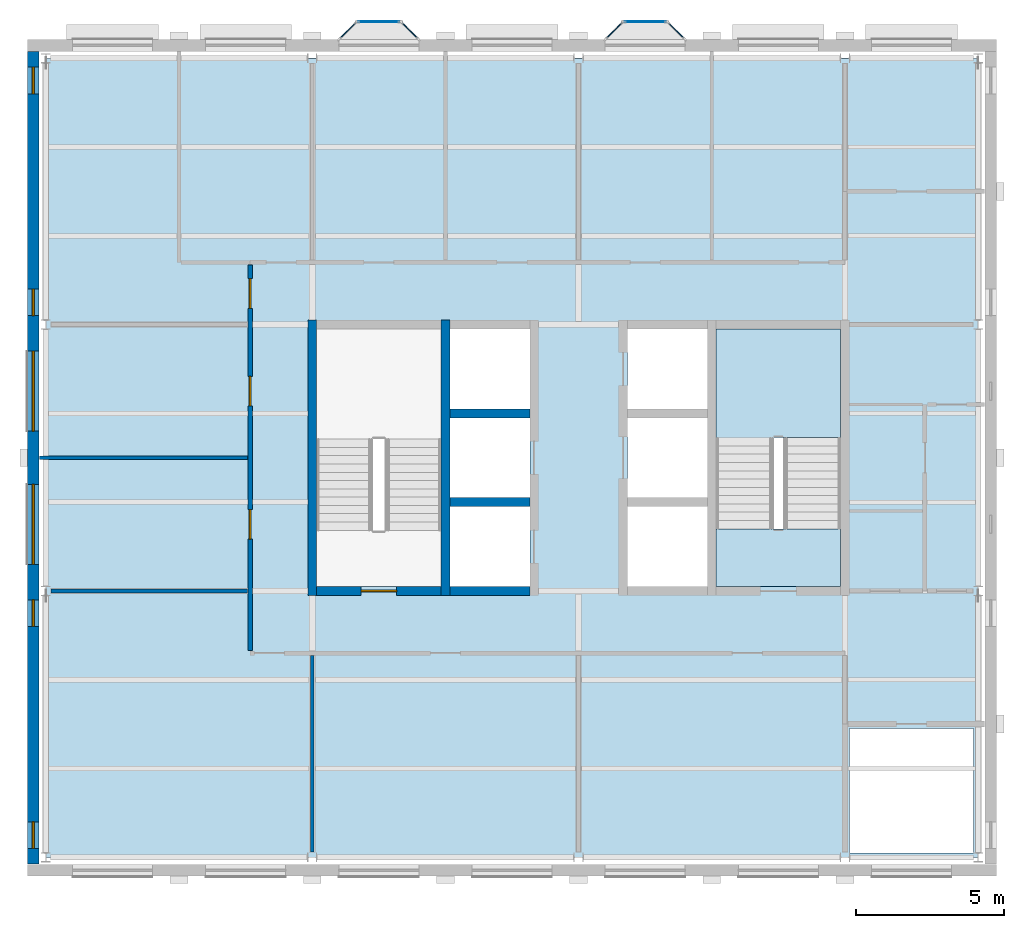
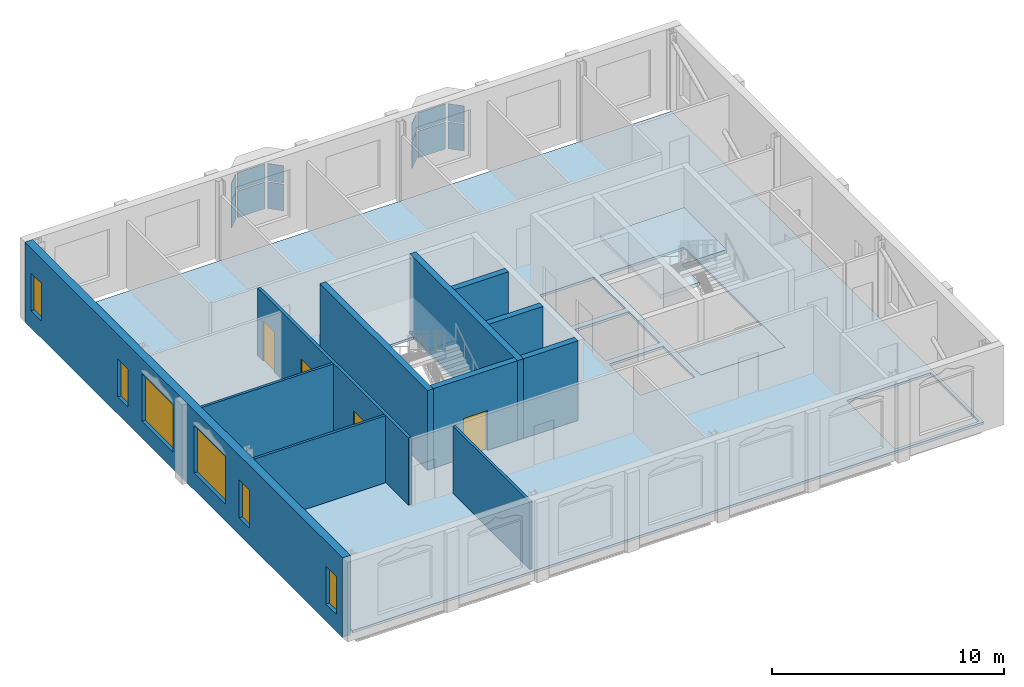
# One storey, part 3 of 9: 12 plates, 11 walls, 6 windows, 4 doors, 3 slabs, 10 openings, 7 elements without a shape of their own.
"""IFC4 building model written with IfcOpenShell, lengths in metres."""

import ifcopenshell
import ifcopenshell.guid

model = None  # the IFC model being written
_history = None  # IfcOwnerHistory: only IFC2X3 demands one
_inside = {}  # id of a spatial element -> (the spatial element, [elements in it])
_under = {}  # id of a project, library or spatial element -> (it, [spatial elements below it])
_declared = {}  # id of a project -> (the project, [libraries it declares])
_typed = {}  # id of a type object -> (the type object, [elements of that type])
_made_of = {}  # id of a material, layer set ... -> (it, [elements and type objects made of it])


def new_model(schema):
    """Start an empty IFC model of exactly this schema.

    Asked for "IFC4X3", IfcOpenShell would pick the latest addendum, in which some entities
    have other attributes; the version numbers below select the first issue.
    IFC2X3 requires an IfcOwnerHistory on every rooted entity: one is made here for all.
    """
    global model, _history
    if schema == "IFC4X3":
        model = ifcopenshell.file(schema_version=(4, 3, 0, 0))
    else:
        model = ifcopenshell.file(schema=schema)
    _inside.clear()
    _under.clear()
    _declared.clear()
    _typed.clear()
    _made_of.clear()
    _history = None
    if model.schema == "IFC2X3":
        org = make("IfcOrganization", Name="unknown")
        user = make(
            "IfcPersonAndOrganization",
            ThePerson=make("IfcPerson", FamilyName="unknown"),
            TheOrganization=org,
        )
        app = make(
            "IfcApplication",
            ApplicationDeveloper=org,
            Version="unknown",
            ApplicationFullName="unknown",
            ApplicationIdentifier="unknown",
        )
        _history = make(
            "IfcOwnerHistory",
            OwningUser=user,
            OwningApplication=app,
            ChangeAction="ADDED",
            CreationDate=0,
        )
    return model


def make(cls, **values):
    """One entity of the class cls with the attributes given. An attribute that is None is left unset."""
    return model.create_entity(
        cls, **{name: value for name, value in values.items() if value is not None}
    )


def rooted(cls, **values):
    """An entity with a GlobalId (a new one), such as an element, a storey or a relation."""
    return make(cls, GlobalId=ifcopenshell.guid.new(), OwnerHistory=_history, **values)


def si_unit(unit_type, name, prefix=None):
    """IfcSIUnit, for example si_unit("LENGTHUNIT", "METRE", prefix="MILLI")."""
    return make("IfcSIUnit", UnitType=unit_type, Prefix=prefix, Name=name)


def assignment(units):
    """IfcUnitAssignment: the units of a project."""
    return None if units is None else make("IfcUnitAssignment", Units=units)


def point(xyz):
    """IfcCartesianPoint."""
    return None if xyz is None else make("IfcCartesianPoint", Coordinates=xyz)


def direction(xyz):
    """IfcDirection."""
    return None if xyz is None else make("IfcDirection", DirectionRatios=xyz)


def frame(location, z_axis=None, x_axis=None):
    """IfcAxis2Placement3D, a coordinate frame: its origin and axes. An axis left out is left unset."""
    return make(
        "IfcAxis2Placement3D",
        Location=point(location),
        Axis=direction(z_axis),
        RefDirection=direction(x_axis),
    )


def frame_2d(location, x_axis=None):
    """IfcAxis2Placement2D, a coordinate frame in the plane: its origin and x axis."""
    return make(
        "IfcAxis2Placement2D", Location=point(location), RefDirection=direction(x_axis)
    )


def origin():
    """The frame at (0, 0, 0) with its axes left unset."""
    return frame((0.0, 0.0, 0.0))


def origin_2d():
    """The frame at (0, 0) in the plane with its x axis left unset."""
    return frame_2d((0.0, 0.0))


def place(relative_to, where):
    """IfcLocalPlacement: puts the frame where relative to a parent placement (None: the world)."""
    return make(
        "IfcLocalPlacement", PlacementRelTo=relative_to, RelativePlacement=where
    )


def context(
    kind, dimensions, precision=None, world=None, true_north=None, identifier=None
):
    """IfcGeometricRepresentationContext, for example the 3D "Model" context."""
    return make(
        "IfcGeometricRepresentationContext",
        ContextIdentifier=identifier,
        ContextType=kind,
        CoordinateSpaceDimension=dimensions,
        Precision=precision,
        WorldCoordinateSystem=world,
        TrueNorth=true_north,
    )


def subcontext(parent, identifier, kind, view, scale=None):
    """IfcGeometricRepresentationSubContext, for example "Body" below "Model"."""
    return make(
        "IfcGeometricRepresentationSubContext",
        ContextIdentifier=identifier,
        ContextType=kind,
        ParentContext=parent,
        TargetScale=scale,
        TargetView=view,
    )


def project(units=None, contexts=None):
    """IfcProject with its units and contexts."""
    return rooted(
        "IfcProject",
        Name="project",
        RepresentationContexts=contexts,
        UnitsInContext=assignment(units),
    )


def spatial(cls, under=None, at=None, **own):
    """A site, building, storey or space (cls), placed at a placement, below another one or the project."""
    s = rooted(cls, ObjectPlacement=at, **own)
    if under is not None:
        _under.setdefault(under.id(), (under, []))[1].append(s)
    return s


def polyline(points):
    """IfcPolyline through the points."""
    return make("IfcPolyline", Points=[point(p) for p in points])


def profile(cls, at=None, kind="AREA", **sizes):
    """A parametric profile (cls). Its sizes go by their IFC names, for example OverallWidth=200.0."""
    return make(cls, ProfileType=kind, Position=at, **sizes)


def rectangle(**sizes):
    """IfcRectangleProfileDef."""
    return profile("IfcRectangleProfileDef", **sizes)


def outline(outer, holes=None, kind="AREA"):
    """IfcArbitraryClosedProfileDef: a profile drawn as a closed curve; with holes, ...WithVoids."""
    if holes is None:
        return make("IfcArbitraryClosedProfileDef", ProfileType=kind, OuterCurve=outer)
    return make(
        "IfcArbitraryProfileDefWithVoids",
        ProfileType=kind,
        OuterCurve=outer,
        InnerCurves=holes,
    )


def extrude(swept, where, along, depth):
    """IfcExtrudedAreaSolid: the profile swept, set in the frame where, extruded along a direction by depth."""
    return make(
        "IfcExtrudedAreaSolid",
        SweptArea=swept,
        Position=where,
        ExtrudedDirection=direction(along),
        Depth=depth,
    )


def shape(context_of_items, identifier, shape_type, items):
    """IfcShapeRepresentation: the items that make up one representation, for example the "Body"."""
    return make(
        "IfcShapeRepresentation",
        ContextOfItems=context_of_items,
        RepresentationIdentifier=identifier,
        RepresentationType=shape_type,
        Items=items,
    )


def material(Name=None, Category=None):
    """IfcMaterial."""
    return make("IfcMaterial", Name=Name, Category=Category)


def layer(
    of_material, thickness, ventilated=None, Name=None, Category=None, Priority=None
):
    """IfcMaterialLayer: one layer of a wall or slab, of a material (None: an air gap)."""
    return make(
        "IfcMaterialLayer",
        Material=of_material,
        LayerThickness=thickness,
        IsVentilated=ventilated,
        Name=Name,
        Category=Category,
        Priority=Priority,
    )


def layer_set(layers, Name=None):
    """IfcMaterialLayerSet."""
    return make("IfcMaterialLayerSet", MaterialLayers=layers, LayerSetName=Name)


def made_of(thing, what):
    """Note that an element or type object is made of a material, layer set ...; save() writes the relation."""
    if what is not None:
        _made_of.setdefault(what.id(), (what, []))[1].append(thing)
    return thing


def type_object(cls, material=None, **own):
    """A type object (cls), such as IfcWallType, which elements share."""
    return made_of(rooted(cls, **own), material)


def element(
    cls,
    number,
    at=None,
    inside=None,
    cuts=None,
    type_object=None,
    material=None,
    context=None,
    identifier="Body",
    shape_type=None,
    held_by="IfcProductDefinitionShape",
    body=None,
    shapes=None,
    **own,
):
    """One element of the class cls, such as IfcWall. Its Tag is "e" and its number.

    at: its placement. inside: the storey or other place that contains it. cuts: it is an
    opening in that element (IfcRelVoidsElement). A single representation is given by context,
    identifier, shape_type and body (its items); several are given by shapes. held_by: the class
    of the entity that holds the representations. save() writes the other relations.
    """
    e = rooted(cls, Tag="e%d" % number, ObjectPlacement=at, **own)
    if body is not None:
        shapes = [shape(context, identifier, shape_type, body)]
    if shapes is not None:
        e.Representation = make(held_by, Representations=shapes)
    if inside is not None:
        _inside.setdefault(inside.id(), (inside, []))[1].append(e)
    if cuts is not None:
        rooted(
            "IfcRelVoidsElement", RelatingBuildingElement=cuts, RelatedOpeningElement=e
        )
    if type_object is not None:
        _typed.setdefault(type_object.id(), (type_object, []))[1].append(e)
    return made_of(e, material)


def fill(opening, filler):
    """IfcRelFillsElement: the door or window that sits in an opening."""
    return rooted(
        "IfcRelFillsElement",
        RelatingOpeningElement=opening,
        RelatedBuildingElement=filler,
    )


def aggregate(whole, parts):
    """IfcRelAggregates: a whole, such as a stair, and the parts it consists of."""
    return rooted("IfcRelAggregates", RelatingObject=whole, RelatedObjects=parts)


def save(model, path):
    """Write the relations noted so far, then the file.

    IfcRelAggregates (storeys below a building ...), IfcRelContainedInSpatialStructure (elements
    in a storey), IfcRelDefinesByType, IfcRelAssociatesMaterial and IfcRelDeclares: one each for
    every whole, place, type object, material and project.
    """
    for whole, parts in _under.values():
        aggregate(whole, parts)
    for where, things in _inside.values():
        rooted(
            "IfcRelContainedInSpatialStructure",
            RelatedElements=things,
            RelatingStructure=where,
        )
    for kind, things in _typed.values():
        rooted("IfcRelDefinesByType", RelatedObjects=things, RelatingType=kind)
    for what, things in _made_of.values():
        rooted("IfcRelAssociatesMaterial", RelatedObjects=things, RelatingMaterial=what)
    for by, libraries in _declared.values():
        rooted("IfcRelDeclares", RelatingContext=by, RelatedDefinitions=libraries)
    model.write(path)


model = new_model("IFC4")

# Units and contexts
model_context = context("Model", 3, precision=1e-05, world=origin(), true_north=direction((0.0, 1.0)))
body_context = subcontext(model_context, "Body", "Model", "MODEL_VIEW")
ifc_project = project(units=[si_unit("LENGTHUNIT", "METRE"), si_unit("AREAUNIT", "SQUARE_METRE"), si_unit("VOLUMEUNIT", "CUBIC_METRE"), si_unit("PLANEANGLEUNIT", "RADIAN"), si_unit("MASSUNIT", "GRAM", prefix="KILO")], contexts=[model_context])

# Site, building, storey
site_placement = place(None, origin())
site = spatial("IfcSite", under=ifc_project, at=site_placement, CompositionType="ELEMENT")
building_placement = place(site_placement, origin())
building = spatial("IfcBuilding", under=site, at=building_placement, Name="Hortulan Conservatory and Botanical Research Centre", CompositionType="ELEMENT")
storey_placement = place(building_placement, frame((0.0, 0.0, 57.0)))
storey = spatial("IfcBuildingStorey", under=building, at=storey_placement, Name="L13", CompositionType="ELEMENT", Elevation=57.0)

# Slab
ifc_material_1 = material(Name="Concrete N32 (32 MPa, AS 3600)", Category="concrete")
ifc_layer_1 = layer(ifc_material_1, 0.1298828125)
ifc_layer_set_1 = layer_set([ifc_layer_1], Name="Composite Floor Slab 130")
slab_type_1 = type_object("IfcSlabType", Name="Composite Floor Slab 130", PredefinedType="FLOOR", material=ifc_layer_set_1)
slab_1_placement = place(storey_placement, frame((0.0, 0.0, -0.1298828125)))
element("IfcSlab", 1, at=slab_1_placement, inside=storey, type_object=slab_type_1, Name="Floor slab", PredefinedType="FLOOR", context=body_context, shape_type="SweptSolid", body=[
    extrude(outline(polyline([(0.0, 0.0), (31.5, 0.0), (31.5, 27.0), (0.0, 27.0), (0.0, 0.0)]), holes=[polyline([(27.14990234375, 4.35009765625), (27.14990234375, 0.14990234375), (31.35009765625, 0.14990234375), (31.35009765625, 4.35009765625), (27.14990234375, 4.35009765625)]), polyline([(13.64990234375, 11.85009765625), (13.64990234375, 9.14990234375), (16.35009765625, 9.14990234375), (16.35009765625, 11.85009765625), (13.64990234375, 11.85009765625)]), polyline([(19.64990234375, 11.85009765625), (19.64990234375, 9.14990234375), (22.35009765625, 9.14990234375), (22.35009765625, 11.85009765625), (19.64990234375, 11.85009765625)]), polyline([(9.14990234375, 17.85009765625), (9.14990234375, 9.14990234375), (13.35009765625, 9.14990234375), (13.35009765625, 17.85009765625), (9.14990234375, 17.85009765625)]), polyline([(13.64990234375, 14.85009765625), (13.64990234375, 12.14990234375), (16.35009765625, 12.14990234375), (16.35009765625, 14.85009765625), (13.64990234375, 14.85009765625)]), polyline([(19.64990234375, 14.85009765625), (19.64990234375, 12.14990234375), (22.35009765625, 12.14990234375), (22.35009765625, 14.85009765625), (19.64990234375, 14.85009765625)]), polyline([(22.64990234375, 17.85009765625), (22.64990234375, 9.14990234375), (26.85009765625, 9.14990234375), (26.85009765625, 17.85009765625), (22.64990234375, 17.85009765625)]), polyline([(16.35009765625, 17.85009765625), (13.64990234375, 17.85009765625), (13.64990234375, 15.14990234375), (16.35009765625, 15.14990234375), (16.35009765625, 17.85009765625)]), polyline([(22.35009765625, 17.85009765625), (19.64990234375, 17.85009765625), (19.64990234375, 15.14990234375), (22.35009765625, 15.14990234375), (22.35009765625, 17.85009765625)])]), origin(), (0.0, 0.0, 1.0), 0.1298828125),
])

# Curtain wall, plates
ifc_material_2 = material(Name="Bronze-finished aluminium", Category="aluminium")
ifc_layer_2 = layer(ifc_material_2, 0.10009765625)
ifc_layer_set_2 = layer_set([ifc_layer_2], Name="Oriel Curtain Wall 1350 module")
curtain_wall_type = type_object("IfcCurtainWallType", Name="Oriel Curtain Wall 1350 module", PredefinedType="NOTDEFINED", material=ifc_layer_set_2)
curtain_wall_1_placement = place(storey_placement, origin())
curtain_wall_1 = element("IfcCurtainWall", 2, at=curtain_wall_1_placement, inside=storey, type_object=curtain_wall_type, Name="Oriel glazing", PredefinedType="NOTDEFINED")
ifc_material_3 = material(Name="Low-e laminated glass", Category="glass")
ifc_layer_3 = layer(ifc_material_3, 0.028076171875)
ifc_layer_set_3 = layer_set([ifc_layer_3], Name="Laminated Glass Panel 28")
plate_type = type_object("IfcPlateType", Name="Laminated Glass Panel 28", PredefinedType="CURTAIN_PANEL", material=ifc_layer_set_3)
plate_1_placement = place(storey_placement, frame((10.199951171875, 27.93603515625, 0.9599609375), z_axis=(0.0, 0.0, 1.0), x_axis=(0.707106781187, 0.707106781187, 0.0)))
plate_1 = element("IfcPlate", 3, at=plate_1_placement, type_object=plate_type, Name="CW2 panel 1.1", PredefinedType="CURTAIN_PANEL", context=body_context, shape_type="SweptSolid", body=[
    extrude(rectangle(XDim=0.728515625, YDim=0.028076171875, at=origin_2d()), origin(), (0.0, 0.0, 1.0), 1.409912109375),
])
plate_2_placement = place(storey_placement, frame((10.199951171875, 27.93603515625, 2.43017578125), z_axis=(0.0, 0.0, 1.0), x_axis=(0.707106781187, 0.707106781187, 0.0)))
plate_2 = element("IfcPlate", 4, at=plate_2_placement, type_object=plate_type, Name="CW2 panel 1.2", PredefinedType="CURTAIN_PANEL", context=body_context, shape_type="SweptSolid", body=[
    extrude(rectangle(XDim=0.728515625, YDim=0.028076171875, at=origin_2d()), origin(), (0.0, 0.0, 1.0), 0.909912109375),
])
aggregate(curtain_wall_1, [plate_1, plate_2])

curtain_wall_2_placement = place(storey_placement, origin())
curtain_wall_2 = element("IfcCurtainWall", 5, at=curtain_wall_2_placement, inside=storey, type_object=curtain_wall_type, Name="Oriel glazing", PredefinedType="NOTDEFINED")
plate_3_placement = place(storey_placement, frame((11.25, 28.236083984375, 0.9599609375), z_axis=(0.0, 0.0, 1.0), x_axis=(1.0, 0.0, 0.0)))
plate_3 = element("IfcPlate", 6, at=plate_3_placement, type_object=plate_type, Name="CW2 panel 1.1", PredefinedType="CURTAIN_PANEL", context=body_context, shape_type="SweptSolid", body=[
    extrude(rectangle(XDim=1.3798828125, YDim=0.028076171875, at=origin_2d()), origin(), (0.0, 0.0, 1.0), 1.409912109375),
])
plate_4_placement = place(storey_placement, frame((11.25, 28.236083984375, 2.43017578125), z_axis=(0.0, 0.0, 1.0), x_axis=(1.0, 0.0, 0.0)))
plate_4 = element("IfcPlate", 7, at=plate_4_placement, type_object=plate_type, Name="CW2 panel 1.2", PredefinedType="CURTAIN_PANEL", context=body_context, shape_type="SweptSolid", body=[
    extrude(rectangle(XDim=1.3798828125, YDim=0.028076171875, at=origin_2d()), origin(), (0.0, 0.0, 1.0), 0.909912109375),
])
aggregate(curtain_wall_2, [plate_3, plate_4])

curtain_wall_3_placement = place(storey_placement, origin())
curtain_wall_3 = element("IfcCurtainWall", 8, at=curtain_wall_3_placement, inside=storey, type_object=curtain_wall_type, Name="Oriel glazing", PredefinedType="NOTDEFINED")
plate_5_placement = place(storey_placement, frame((12.300048828125, 27.93603515625, 0.9599609375), z_axis=(0.0, 0.0, 1.0), x_axis=(0.707106781187, -0.707106781187, 0.0)))
plate_5 = element("IfcPlate", 9, at=plate_5_placement, type_object=plate_type, Name="CW2 panel 1.1", PredefinedType="CURTAIN_PANEL", context=body_context, shape_type="SweptSolid", body=[
    extrude(rectangle(XDim=0.728515625, YDim=0.028076171875, at=origin_2d()), origin(), (0.0, 0.0, 1.0), 1.409912109375),
])
plate_6_placement = place(storey_placement, frame((12.300048828125, 27.93603515625, 2.43017578125), z_axis=(0.0, 0.0, 1.0), x_axis=(0.707106781187, -0.707106781187, 0.0)))
plate_6 = element("IfcPlate", 10, at=plate_6_placement, type_object=plate_type, Name="CW2 panel 1.2", PredefinedType="CURTAIN_PANEL", context=body_context, shape_type="SweptSolid", body=[
    extrude(rectangle(XDim=0.728515625, YDim=0.028076171875, at=origin_2d()), origin(), (0.0, 0.0, 1.0), 0.909912109375),
])
aggregate(curtain_wall_3, [plate_5, plate_6])

curtain_wall_4_placement = place(storey_placement, origin())
curtain_wall_4 = element("IfcCurtainWall", 11, at=curtain_wall_4_placement, inside=storey, type_object=curtain_wall_type, Name="Oriel glazing", PredefinedType="NOTDEFINED")
plate_7_placement = place(storey_placement, frame((19.199951171875, 27.93603515625, 0.9599609375), z_axis=(0.0, 0.0, 1.0), x_axis=(0.707106781187, 0.707106781187, 0.0)))
plate_7 = element("IfcPlate", 12, at=plate_7_placement, type_object=plate_type, Name="CW2 panel 1.1", PredefinedType="CURTAIN_PANEL", context=body_context, shape_type="SweptSolid", body=[
    extrude(rectangle(XDim=0.728515625, YDim=0.028076171875, at=origin_2d()), origin(), (0.0, 0.0, 1.0), 1.409912109375),
])
plate_8_placement = place(storey_placement, frame((19.199951171875, 27.93603515625, 2.43017578125), z_axis=(0.0, 0.0, 1.0), x_axis=(0.707106781187, 0.707106781187, 0.0)))
plate_8 = element("IfcPlate", 13, at=plate_8_placement, type_object=plate_type, Name="CW2 panel 1.2", PredefinedType="CURTAIN_PANEL", context=body_context, shape_type="SweptSolid", body=[
    extrude(rectangle(XDim=0.728515625, YDim=0.028076171875, at=origin_2d()), origin(), (0.0, 0.0, 1.0), 0.909912109375),
])
aggregate(curtain_wall_4, [plate_7, plate_8])

curtain_wall_5_placement = place(storey_placement, origin())
curtain_wall_5 = element("IfcCurtainWall", 14, at=curtain_wall_5_placement, inside=storey, type_object=curtain_wall_type, Name="Oriel glazing", PredefinedType="NOTDEFINED")
plate_9_placement = place(storey_placement, frame((20.25, 28.236083984375, 0.9599609375), z_axis=(0.0, 0.0, 1.0), x_axis=(1.0, 0.0, 0.0)))
plate_9 = element("IfcPlate", 15, at=plate_9_placement, type_object=plate_type, Name="CW2 panel 1.1", PredefinedType="CURTAIN_PANEL", context=body_context, shape_type="SweptSolid", body=[
    extrude(rectangle(XDim=1.3798828125, YDim=0.028076171875, at=origin_2d()), origin(), (0.0, 0.0, 1.0), 1.409912109375),
])
plate_10_placement = place(storey_placement, frame((20.25, 28.236083984375, 2.43017578125), z_axis=(0.0, 0.0, 1.0), x_axis=(1.0, 0.0, 0.0)))
plate_10 = element("IfcPlate", 16, at=plate_10_placement, type_object=plate_type, Name="CW2 panel 1.2", PredefinedType="CURTAIN_PANEL", context=body_context, shape_type="SweptSolid", body=[
    extrude(rectangle(XDim=1.3798828125, YDim=0.028076171875, at=origin_2d()), origin(), (0.0, 0.0, 1.0), 0.909912109375),
])
aggregate(curtain_wall_5, [plate_9, plate_10])

curtain_wall_6_placement = place(storey_placement, origin())
curtain_wall_6 = element("IfcCurtainWall", 17, at=curtain_wall_6_placement, inside=storey, type_object=curtain_wall_type, Name="Oriel glazing", PredefinedType="NOTDEFINED")
plate_11_placement = place(storey_placement, frame((21.300048828125, 27.93603515625, 0.9599609375), z_axis=(0.0, 0.0, 1.0), x_axis=(0.707106781187, -0.707106781187, 0.0)))
plate_11 = element("IfcPlate", 18, at=plate_11_placement, type_object=plate_type, Name="CW2 panel 1.1", PredefinedType="CURTAIN_PANEL", context=body_context, shape_type="SweptSolid", body=[
    extrude(rectangle(XDim=0.728515625, YDim=0.028076171875, at=origin_2d()), origin(), (0.0, 0.0, 1.0), 1.409912109375),
])
plate_12_placement = place(storey_placement, frame((21.300048828125, 27.93603515625, 2.43017578125), z_axis=(0.0, 0.0, 1.0), x_axis=(0.707106781187, -0.707106781187, 0.0)))
plate_12 = element("IfcPlate", 19, at=plate_12_placement, type_object=plate_type, Name="CW2 panel 1.2", PredefinedType="CURTAIN_PANEL", context=body_context, shape_type="SweptSolid", body=[
    extrude(rectangle(XDim=0.728515625, YDim=0.028076171875, at=origin_2d()), origin(), (0.0, 0.0, 1.0), 0.909912109375),
])
aggregate(curtain_wall_6, [plate_11, plate_12])

# Stair, slab
ifc_material_4 = material(Name="Concrete N40 (40 MPa, AS 3600)", Category="concrete")
stair_type = type_object("IfcStairType", Name="Concrete Escape Stair 1950", PredefinedType="HALF_TURN_STAIR", material=ifc_material_4)
stair_placement = place(storey_placement, origin())
stair = element("IfcStair", 20, at=stair_placement, inside=storey, type_object=stair_type, Name="Stair T2 L13", PredefinedType="HALF_TURN_STAIR")
ifc_layer_4 = layer(ifc_material_4, 0.199951171875)
ifc_layer_set_4 = layer_set([ifc_layer_4], Name="Stair Landing 200")
slab_type_2 = type_object("IfcSlabType", Name="Stair Landing 200", PredefinedType="LANDING", material=ifc_layer_set_4)
slab_2_placement = place(storey_placement, frame((0.0, 0.0, 1.89990234375)))
slab_2 = element("IfcSlab", 21, at=slab_2_placement, type_object=slab_type_2, Name="Stair T2 L13 half landing 1", PredefinedType="LANDING", context=body_context, shape_type="SweptSolid", body=[
    extrude(outline(polyline([(26.85009765625, 14.179443359375), (24.60009765625, 14.179443359375), (24.60009765625, 12.639892578125), (22.64990234375, 12.639892578125), (22.64990234375, 14.179443359375), (22.64990234375, 14.179931640625), (22.64990234375, 14.18994140625), (22.64990234375, 17.85009765625), (26.85009765625, 17.85009765625), (26.85009765625, 14.18994140625), (26.85009765625, 14.179931640625), (26.85009765625, 14.179443359375)])), origin(), (0.0, 0.0, 1.0), 0.2001953125),
])
aggregate(stair, [slab_2])

# Slab
slab_3_placement = place(storey_placement, frame((0.0, 0.0, -0.199951171875)))
element("IfcSlab", 22, at=slab_3_placement, inside=storey, type_object=slab_type_2, Name="Stair T2 floor landing L13", PredefinedType="LANDING", context=body_context, shape_type="SweptSolid", body=[
    extrude(outline(polyline([(26.85009765625, 9.14990234375), (22.64990234375, 9.14990234375), (22.64990234375, 11.10009765625), (26.85009765625, 11.10009765625), (26.85009765625, 9.14990234375)])), origin(), (0.0, 0.0, 1.0), 0.199951171875),
])

# Walls
ifc_layer_5 = layer(ifc_material_4, 0.300048828125)
ifc_layer_set_5 = layer_set([ifc_layer_5], Name="Core Wall 300 N40 FRL 240/120/120")
wall_type_1 = type_object("IfcWallType", Name="Core Wall 300 N40 FRL 240/120/120", PredefinedType="SHEAR", material=ifc_layer_set_5)
for number, where, z_axis, x_axis, name in (
    (23, (9.0, 8.85009765625, 0.0), (0.0, 0.0, 1.0), (0.0, 1.0, 0.0), "Reinforced concrete shaft wall"),
    (24, (13.5, 8.85009765625, 0.0), (0.0, 0.0, 1.0), (0.0, 1.0, 0.0), "Reinforced concrete shaft wall"),
):
    element("IfcWall", number, at=place(storey_placement, frame(where, z_axis=z_axis, x_axis=x_axis)), inside=storey, type_object=wall_type_1, Name=name, PredefinedType="SHEAR", context=body_context, shape_type="SweptSolid", body=[
        extrude(rectangle(XDim=9.2998046875, YDim=0.300048828125, at=frame_2d((4.64990234375, 0.0))), origin(), (0.0, 0.0, 1.0), 4.199951171875),
    ])

# Wall, opening, door
wall_1_placement = place(storey_placement, frame((9.14990234375, 9.0, 0.0), z_axis=(0.0, 0.0, 1.0), x_axis=(1.0, 0.0, 0.0)))
wall_1 = element("IfcWall", 25, at=wall_1_placement, inside=storey, type_object=wall_type_1, Name="Reinforced concrete shaft wall", PredefinedType="SHEAR", context=body_context, shape_type="SweptSolid", body=[
    extrude(rectangle(XDim=4.2001953125, YDim=0.300048828125, at=frame_2d((2.10009765625, 0.0))), origin(), (0.0, 0.0, 1.0), 4.199951171875),
])
opening_1_placement = place(wall_1_placement, frame((1.5, 0.0, 0.0)))
opening_1 = element("IfcOpeningElement", 26, at=opening_1_placement, cuts=wall_1, Name="Opening DT5", PredefinedType="OPENING", context=body_context, shape_type="SweptSolid", body=[
    extrude(rectangle(XDim=1.199951171875, YDim=2.10009765625, at=frame_2d((0.60009765625, 1.050048828125))), frame((0.0, 0.159912109375, 0.0), z_axis=(0.0, -1.0, 0.0), x_axis=(1.0, 0.0, 0.0)), (0.0, 0.0, 1.0), 0.320068359375),
])
ifc_material_5 = material(Name="Steel door leaf, insulated", Category="steel")
door_type_1 = type_object("IfcDoorType", Name="Stair Door 1200x2100 FRL -/120/30", OperationType="NOTDEFINED", PredefinedType="DOOR", material=ifc_material_5)
door_1_placement = place(opening_1_placement, origin())
door_1 = element("IfcDoor", 27, at=door_1_placement, inside=storey, type_object=door_type_1, Name="Door DT5 Exit Stair T1", OperationType="SINGLE_SWING_RIGHT", OverallHeight=2.10009765625, OverallWidth=1.199951171875, PredefinedType="DOOR", context=body_context, shape_type="SweptSolid", body=[
    extrude(rectangle(XDim=1.199951171875, YDim=2.10009765625, at=frame_2d((0.60009765625, 1.050048828125))), frame((0.0, 0.02490234375, 0.0), z_axis=(0.0, -1.0, 0.0), x_axis=(1.0, 0.0, 0.0)), (0.0, 0.0, 1.0), 0.050048828125),
])
fill(opening_1, door_1)

# Walls
for number, where, z_axis, x_axis, name in (
    (28, (13.64990234375, 9.0, 0.0), (0.0, 0.0, 1.0), (1.0, 0.0, 0.0), "Reinforced concrete shaft wall"),
    (29, (13.64990234375, 12.0, 0.0), (0.0, 0.0, 1.0), (1.0, 0.0, 0.0), "Reinforced concrete shaft wall"),
    (30, (13.64990234375, 15.0, 0.0), (0.0, 0.0, 1.0), (1.0, 0.0, 0.0), "Reinforced concrete shaft wall"),
):
    element("IfcWall", number, at=place(storey_placement, frame(where, z_axis=z_axis, x_axis=x_axis)), inside=storey, type_object=wall_type_1, Name=name, PredefinedType="SHEAR", context=body_context, shape_type="SweptSolid", body=[
        extrude(rectangle(XDim=2.7001953125, YDim=0.300048828125, at=frame_2d((1.35009765625, 0.0))), origin(), (0.0, 0.0, 1.0), 4.199951171875),
    ])

# Wall, openings, doors
ifc_material_6 = material(Name="Plasterboard on steel studs", Category="steel")
ifc_layer_6 = layer(ifc_material_6, 0.14990234375)
ifc_layer_set_6 = layer_set([ifc_layer_6], Name="Corridor Partition 150")
wall_type_2 = type_object("IfcWallType", Name="Corridor Partition 150", PredefinedType="PARTITIONING", material=ifc_layer_set_6)
wall_2_placement = place(storey_placement, frame((6.89990234375, 6.985107421875, 0.0), z_axis=(0.0, 0.0, 1.0), x_axis=(0.0, 1.0, 0.0)))
wall_2 = element("IfcWall", 31, at=wall_2_placement, inside=storey, type_object=wall_type_2, Name="Corridor partition", PredefinedType="PARTITIONING", context=body_context, shape_type="SweptSolid", body=[
    extrude(rectangle(XDim=13.02978515625, YDim=0.14990234375, at=frame_2d((6.514892578125, 0.0))), origin(), (0.0, 0.0, 1.0), 3.5419921875),
])
opening_2_placement = place(wall_2_placement, frame((11.56494140625, 0.0, 0.0)))
opening_2 = element("IfcOpeningElement", 32, at=opening_2_placement, cuts=wall_2, Name="Opening DT1", PredefinedType="OPENING", context=body_context, shape_type="SweptSolid", body=[
    extrude(rectangle(XDim=1.0, YDim=2.10009765625, at=frame_2d((0.5, 1.050048828125))), frame((0.0, 0.0849609375, 0.0), z_axis=(0.0, -1.0, 0.0), x_axis=(1.0, 0.0, 0.0)), (0.0, 0.0, 1.0), 0.169921875),
])
opening_3_placement = place(wall_2_placement, frame((3.764892578125, 0.0, 0.0)))
opening_3 = element("IfcOpeningElement", 33, at=opening_3_placement, cuts=wall_2, Name="Opening DT1", PredefinedType="OPENING", context=body_context, shape_type="SweptSolid", body=[
    extrude(rectangle(XDim=1.0, YDim=2.10009765625, at=frame_2d((0.5, 1.050048828125))), frame((0.0, 0.0849609375, 0.0), z_axis=(0.0, -1.0, 0.0), x_axis=(1.0, 0.0, 0.0)), (0.0, 0.0, 1.0), 0.169921875),
])
opening_4_placement = place(wall_2_placement, frame((8.264892578125, 0.0, 0.0)))
opening_4 = element("IfcOpeningElement", 34, at=opening_4_placement, cuts=wall_2, Name="Opening DT1", PredefinedType="OPENING", context=body_context, shape_type="SweptSolid", body=[
    extrude(rectangle(XDim=1.0, YDim=2.10009765625, at=frame_2d((0.5, 1.050048828125))), frame((0.0, 0.0849609375, 0.0), z_axis=(0.0, -1.0, 0.0), x_axis=(1.0, 0.0, 0.0)), (0.0, 0.0, 1.0), 0.169921875),
])
ifc_material_7 = material(Name="Timber door leaf in timber frame", Category="wood")
door_type_2 = type_object("IfcDoorType", Name="Single Door 1000x2100", OperationType="NOTDEFINED", PredefinedType="DOOR", material=ifc_material_7)
door_2_placement = place(opening_2_placement, origin())
door_2 = element("IfcDoor", 35, at=door_2_placement, inside=storey, type_object=door_type_2, Name="Door DT1 Director's Office", OperationType="SINGLE_SWING_RIGHT", OverallHeight=2.10009765625, OverallWidth=1.0, PredefinedType="DOOR", context=body_context, shape_type="SweptSolid", body=[
    extrude(rectangle(XDim=1.0, YDim=2.10009765625, at=frame_2d((0.5, 1.050048828125))), frame((0.0, 0.02490234375, 0.0), z_axis=(0.0, -1.0, 0.0), x_axis=(1.0, 0.0, 0.0)), (0.0, 0.0, 1.0), 0.050048828125),
])
fill(opening_2, door_2)
door_3_placement = place(opening_3_placement, origin())
door_3 = element("IfcDoor", 36, at=door_3_placement, inside=storey, type_object=door_type_2, Name="Door DT1 Director's Office", OperationType="SINGLE_SWING_RIGHT", OverallHeight=2.10009765625, OverallWidth=1.0, PredefinedType="DOOR", context=body_context, shape_type="SweptSolid", body=[
    extrude(rectangle(XDim=1.0, YDim=2.10009765625, at=frame_2d((0.5, 1.050048828125))), frame((0.0, 0.02490234375, 0.0), z_axis=(0.0, -1.0, 0.0), x_axis=(1.0, 0.0, 0.0)), (0.0, 0.0, 1.0), 0.050048828125),
])
fill(opening_3, door_3)
door_4_placement = place(opening_4_placement, origin())
door_4 = element("IfcDoor", 37, at=door_4_placement, inside=storey, type_object=door_type_2, Name="Door DT1 Administration Office", OperationType="SINGLE_SWING_LEFT", OverallHeight=2.10009765625, OverallWidth=1.0, PredefinedType="DOOR", context=body_context, shape_type="SweptSolid", body=[
    extrude(rectangle(XDim=1.0, YDim=2.10009765625, at=frame_2d((0.5, 1.050048828125))), frame((0.0, 0.02490234375, 0.0), z_axis=(0.0, -1.0, 0.0), x_axis=(1.0, 0.0, 0.0)), (0.0, 0.0, 1.0), 0.050048828125),
])
fill(opening_4, door_4)

# Wall, openings, windows
ifc_material_8 = material(Name="Faience-faced brickwork masonry", Category="masonry")
ifc_layer_7 = layer(ifc_material_8, 0.39990234375)
ifc_layer_set_7 = layer_set([ifc_layer_7], Name="Faience-faced Masonry Cavity Wall 400")
wall_type_3 = type_object("IfcWallType", Name="Faience-faced Masonry Cavity Wall 400", PredefinedType="STANDARD", material=ifc_layer_set_7)
wall_3_placement = place(storey_placement, frame((-0.425048828125, -0.22509765625, 0.0), z_axis=(0.0, 0.0, 1.0), x_axis=(0.0, 1.0, 0.0)))
wall_3 = element("IfcWall", 38, at=wall_3_placement, inside=storey, type_object=wall_type_3, Name="E-EW-TW-L13-W2", PredefinedType="STANDARD", context=body_context, shape_type="SweptSolid", body=[
    extrude(rectangle(XDim=27.4501953125, YDim=0.39990234375, at=frame_2d((13.72509765625, 0.0))), origin(), (0.0, 0.0, 1.0), 4.199951171875),
])
opening_5_placement = place(wall_3_placement, frame((0.52490234375, 0.0, 0.89990234375)))
opening_5 = element("IfcOpeningElement", 39, at=opening_5_placement, cuts=wall_3, Name="Opening W5", PredefinedType="OPENING", context=body_context, shape_type="SweptSolid", body=[
    extrude(rectangle(XDim=0.89990234375, YDim=2.0, at=frame_2d((0.449951171875, 1.0))), frame((0.0, 0.2099609375, 0.0), z_axis=(0.0, -1.0, 0.0), x_axis=(1.0, 0.0, 0.0)), (0.0, 0.0, 1.0), 0.419921875),
])
opening_6_placement = place(wall_3_placement, frame((8.02490234375, 0.0, 0.89990234375)))
opening_6 = element("IfcOpeningElement", 40, at=opening_6_placement, cuts=wall_3, Name="Opening W5", PredefinedType="OPENING", context=body_context, shape_type="SweptSolid", body=[
    extrude(rectangle(XDim=0.89990234375, YDim=2.0, at=frame_2d((0.449951171875, 1.0))), frame((0.0, 0.2099609375, 0.0), z_axis=(0.0, -1.0, 0.0), x_axis=(1.0, 0.0, 0.0)), (0.0, 0.0, 1.0), 0.419921875),
])
opening_7_placement = place(wall_3_placement, frame((10.125, 0.0, 0.89990234375)))
opening_7 = element("IfcOpeningElement", 41, at=opening_7_placement, cuts=wall_3, Name="Opening W4", PredefinedType="OPENING", context=body_context, shape_type="SweptSolid", body=[
    extrude(rectangle(XDim=2.699951171875, YDim=2.5, at=frame_2d((1.35009765625, 1.25))), frame((0.0, 0.2099609375, 0.0), z_axis=(0.0, -1.0, 0.0), x_axis=(1.0, 0.0, 0.0)), (0.0, 0.0, 1.0), 0.419921875),
])
opening_8_placement = place(wall_3_placement, frame((14.625, 0.0, 0.89990234375)))
opening_8 = element("IfcOpeningElement", 42, at=opening_8_placement, cuts=wall_3, Name="Opening W4", PredefinedType="OPENING", context=body_context, shape_type="SweptSolid", body=[
    extrude(rectangle(XDim=2.699951171875, YDim=2.5, at=frame_2d((1.35009765625, 1.25))), frame((0.0, 0.2099609375, 0.0), z_axis=(0.0, -1.0, 0.0), x_axis=(1.0, 0.0, 0.0)), (0.0, 0.0, 1.0), 0.419921875),
])
opening_9_placement = place(wall_3_placement, frame((18.52490234375, 0.0, 0.89990234375)))
opening_9 = element("IfcOpeningElement", 43, at=opening_9_placement, cuts=wall_3, Name="Opening W5", PredefinedType="OPENING", context=body_context, shape_type="SweptSolid", body=[
    extrude(rectangle(XDim=0.89990234375, YDim=2.0, at=frame_2d((0.449951171875, 1.0))), frame((0.0, 0.2099609375, 0.0), z_axis=(0.0, -1.0, 0.0), x_axis=(1.0, 0.0, 0.0)), (0.0, 0.0, 1.0), 0.419921875),
])
opening_10_placement = place(wall_3_placement, frame((26.02490234375, 0.0, 0.89990234375)))
opening_10 = element("IfcOpeningElement", 44, at=opening_10_placement, cuts=wall_3, Name="Opening W5", PredefinedType="OPENING", context=body_context, shape_type="SweptSolid", body=[
    extrude(rectangle(XDim=0.89990234375, YDim=2.0, at=frame_2d((0.449951171875, 1.0))), frame((0.0, 0.2099609375, 0.0), z_axis=(0.0, -1.0, 0.0), x_axis=(1.0, 0.0, 0.0)), (0.0, 0.0, 1.0), 0.419921875),
])
ifc_material_9 = material(Name="Bronze-finished aluminium frame with low-e laminated double glazing", Category="aluminium")
window_type_1 = type_object("IfcWindowType", Name="Faience Pier Window 900x2000", PartitioningType="SINGLE_PANEL", PredefinedType="WINDOW", material=ifc_material_9)
window_1_placement = place(opening_5_placement, origin())
window_1 = element("IfcWindow", 45, at=window_1_placement, inside=storey, type_object=window_type_1, Name="Faience Pier window", OverallHeight=2.0, OverallWidth=0.89990234375, PartitioningType="SINGLE_PANEL", PredefinedType="WINDOW", context=body_context, shape_type="SweptSolid", body=[
    extrude(rectangle(XDim=0.89990234375, YDim=2.0, at=frame_2d((0.449951171875, 1.0))), frame((0.0, 0.030029296875, 0.0), z_axis=(0.0, -1.0, 0.0), x_axis=(1.0, 0.0, 0.0)), (0.0, 0.0, 1.0), 0.06005859375),
])
fill(opening_5, window_1)
window_2_placement = place(opening_6_placement, origin())
window_2 = element("IfcWindow", 46, at=window_2_placement, inside=storey, type_object=window_type_1, Name="Faience Pier window", OverallHeight=2.0, OverallWidth=0.89990234375, PartitioningType="SINGLE_PANEL", PredefinedType="WINDOW", context=body_context, shape_type="SweptSolid", body=[
    extrude(rectangle(XDim=0.89990234375, YDim=2.0, at=frame_2d((0.449951171875, 1.0))), frame((0.0, 0.030029296875, 0.0), z_axis=(0.0, -1.0, 0.0), x_axis=(1.0, 0.0, 0.0)), (0.0, 0.0, 1.0), 0.06005859375),
])
fill(opening_6, window_2)
window_3_placement = place(opening_9_placement, origin())
window_3 = element("IfcWindow", 47, at=window_3_placement, inside=storey, type_object=window_type_1, Name="Faience Pier window", OverallHeight=2.0, OverallWidth=0.89990234375, PartitioningType="SINGLE_PANEL", PredefinedType="WINDOW", context=body_context, shape_type="SweptSolid", body=[
    extrude(rectangle(XDim=0.89990234375, YDim=2.0, at=frame_2d((0.449951171875, 1.0))), frame((0.0, 0.030029296875, 0.0), z_axis=(0.0, -1.0, 0.0), x_axis=(1.0, 0.0, 0.0)), (0.0, 0.0, 1.0), 0.06005859375),
])
fill(opening_9, window_3)
window_4_placement = place(opening_10_placement, origin())
window_4 = element("IfcWindow", 48, at=window_4_placement, inside=storey, type_object=window_type_1, Name="Faience Pier window", OverallHeight=2.0, OverallWidth=0.89990234375, PartitioningType="SINGLE_PANEL", PredefinedType="WINDOW", context=body_context, shape_type="SweptSolid", body=[
    extrude(rectangle(XDim=0.89990234375, YDim=2.0, at=frame_2d((0.449951171875, 1.0))), frame((0.0, 0.030029296875, 0.0), z_axis=(0.0, -1.0, 0.0), x_axis=(1.0, 0.0, 0.0)), (0.0, 0.0, 1.0), 0.06005859375),
])
fill(opening_10, window_4)
window_type_2 = type_object("IfcWindowType", Name="Faience Window 2700x2500", PartitioningType="SINGLE_PANEL", PredefinedType="WINDOW", material=ifc_material_9)
window_5_placement = place(opening_7_placement, origin())
window_5 = element("IfcWindow", 49, at=window_5_placement, inside=storey, type_object=window_type_2, Name="Faience window", OverallHeight=2.5, OverallWidth=2.699951171875, PartitioningType="SINGLE_PANEL", PredefinedType="WINDOW", context=body_context, shape_type="SweptSolid", body=[
    extrude(rectangle(XDim=2.699951171875, YDim=2.5, at=frame_2d((1.35009765625, 1.25))), frame((0.0, 0.030029296875, 0.0), z_axis=(0.0, -1.0, 0.0), x_axis=(1.0, 0.0, 0.0)), (0.0, 0.0, 1.0), 0.06005859375),
])
fill(opening_7, window_5)
window_6_placement = place(opening_8_placement, origin())
window_6 = element("IfcWindow", 50, at=window_6_placement, inside=storey, type_object=window_type_2, Name="Faience window", OverallHeight=2.5, OverallWidth=2.699951171875, PartitioningType="SINGLE_PANEL", PredefinedType="WINDOW", context=body_context, shape_type="SweptSolid", body=[
    extrude(rectangle(XDim=2.699951171875, YDim=2.5, at=frame_2d((1.35009765625, 1.25))), frame((0.0, 0.030029296875, 0.0), z_axis=(0.0, -1.0, 0.0), x_axis=(1.0, 0.0, 0.0)), (0.0, 0.0, 1.0), 0.06005859375),
])
fill(opening_8, window_6)

# Walls
ifc_layer_8 = layer(ifc_material_6, 0.125)
ifc_layer_set_8 = layer_set([ifc_layer_8], Name="Partition 125")
wall_type_4 = type_object("IfcWallType", Name="Partition 125", PredefinedType="PARTITIONING", material=ifc_layer_set_8)
wall_4_placement = place(storey_placement, frame((9.0, 0.17041015625, 0.0), z_axis=(0.0, 0.0, 1.0), x_axis=(0.0, 1.0, 0.0)))
element("IfcWall", 51, at=wall_4_placement, inside=storey, type_object=wall_type_4, Name="Partition", PredefinedType="PARTITIONING", context=body_context, shape_type="SweptSolid", body=[
    extrude(rectangle(XDim=6.64453125, YDim=0.125, at=frame_2d((3.322265625, 0.0))), origin(), (0.0, 0.0, 1.0), 3.5419921875),
])
wall_5_placement = place(storey_placement, frame((0.16455078125, 9.0, 0.0), z_axis=(0.0, 0.0, 1.0), x_axis=(1.0, 0.0, 0.0)))
element("IfcWall", 52, at=wall_5_placement, inside=storey, type_object=wall_type_4, Name="Partition", PredefinedType="PARTITIONING", context=body_context, shape_type="SweptSolid", body=[
    extrude(rectangle(XDim=6.650390625, YDim=0.125, at=frame_2d((3.3251953125, 0.0))), origin(), (0.0, 0.0, 1.0), 3.5419921875),
])
wall_6_placement = place(storey_placement, frame((-0.215087890625, 13.5, 0.0), z_axis=(0.0, 0.0, 1.0), x_axis=(1.0, 0.0, 0.0)))
element("IfcWall", 53, at=wall_6_placement, inside=storey, type_object=wall_type_4, Name="Partition", PredefinedType="PARTITIONING", context=body_context, shape_type="SweptSolid", body=[
    extrude(rectangle(XDim=7.030029296875, YDim=0.125, at=frame_2d((3.51513671875, 0.0))), origin(), (0.0, 0.0, 1.0), 3.5419921875),
])

save(model, "model.ifc")
